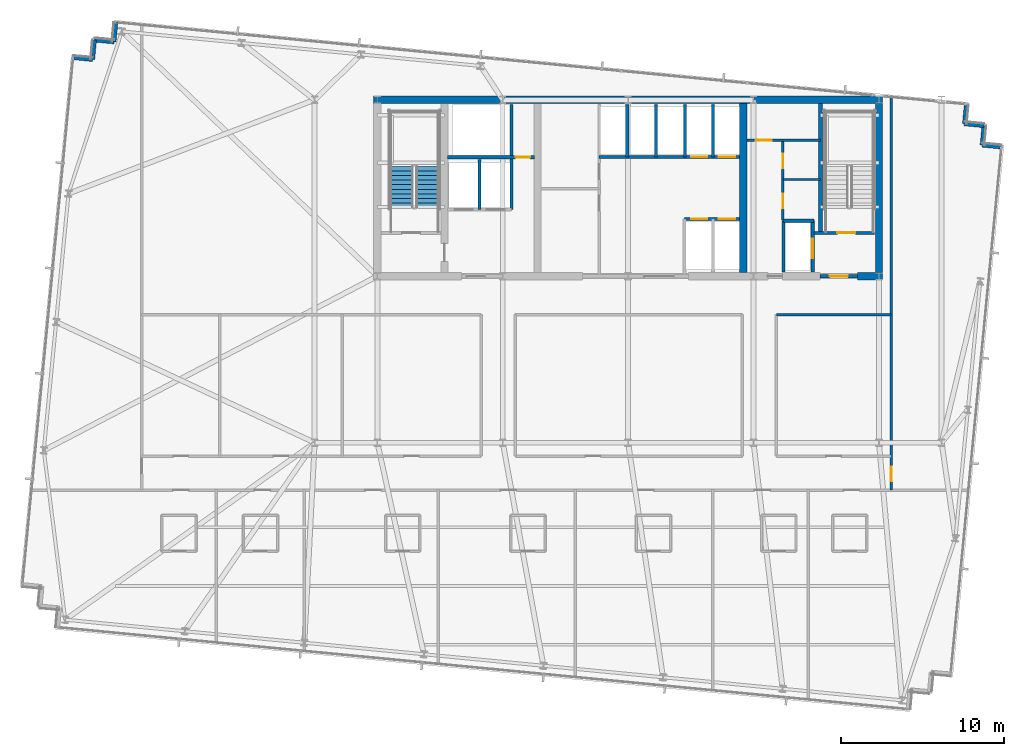
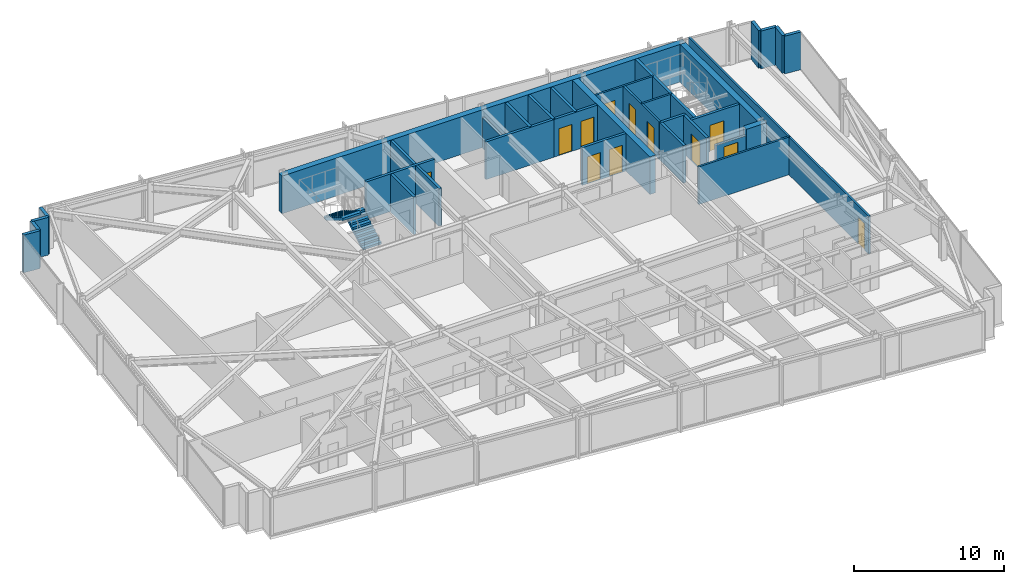
# One storey, part 31 of 37: 33 walls, 12 doors, 2 stair flights, 12 openings, 1 element without a shape of its own.
"""IFC4 building model written with IfcOpenShell, lengths in metres."""

from ifc_helpers import new_model, si_unit, direction, frame, frame_2d, origin, place, context, subcontext, project, spatial, polyline, rectangle, outline, extrude, material, layer, layer_set, type_object, element, fill, aggregate, save


model = new_model("IFC4")

# Units and contexts
model_context = context("Model", 3, precision=1e-05, world=origin(), true_north=direction((0.0, 1.0)))
body_context = subcontext(model_context, "Body", "Model", "MODEL_VIEW")
ifc_project = project(units=[si_unit("LENGTHUNIT", "METRE"), si_unit("AREAUNIT", "SQUARE_METRE"), si_unit("VOLUMEUNIT", "CUBIC_METRE"), si_unit("PLANEANGLEUNIT", "RADIAN"), si_unit("MASSUNIT", "GRAM", prefix="KILO")], contexts=[model_context])

# Site, building, storey
site_placement = place(None, origin())
site = spatial("IfcSite", under=ifc_project, at=site_placement, CompositionType="ELEMENT")
building_placement = place(site_placement, origin())
building = spatial("IfcBuilding", under=site, at=building_placement, Name="Yelkora Congress Tower", CompositionType="ELEMENT")
storey_placement = place(building_placement, frame((0.0, 0.0, 168.800048828125)))
storey = spatial("IfcBuildingStorey", under=building, at=storey_placement, Name="L46", CompositionType="ELEMENT", Elevation=168.800048828125)

# Walls
ifc_material_1 = material(Name="Concrete C50/60", Category="concrete")
ifc_layer_1 = layer(ifc_material_1, 0.219970703125)
ifc_layer_set_1 = layer_set([ifc_layer_1], Name="Concrete C50/60")
wall_type_1 = type_object("IfcWallType", Name="WALL-CORE-INT-220", PredefinedType="SHEAR", material=ifc_layer_set_1)
wall_1_placement = place(storey_placement, frame((50.179931640625, 38.050048828125, 0.0), z_axis=(0.0, 0.0, 1.0), x_axis=(0.0, 1.0, 0.0)))
element("IfcWall", 1, at=wall_1_placement, inside=storey, type_object=wall_type_1, Name="L46 ST02 West Stair Shear Wall", PredefinedType="SHEAR", context=body_context, shape_type="SweptSolid", body=[
    extrude(rectangle(XDim=7.925048828125, YDim=0.219970703125, at=frame_2d((3.96240234375, 0.0))), origin(), (0.0, 0.0, 1.0), 3.079833984375),
])
ifc_material_2 = material(Name="Concrete C60/75", Category="concrete")
ifc_layer_2 = layer(ifc_material_2, 0.449951171875)
ifc_layer_set_2 = layer_set([ifc_layer_2], Name="Concrete C60/75")
wall_type_2 = type_object("IfcWallType", Name="WALL-CORE-INT-450", PredefinedType="SHEAR", material=ifc_layer_set_2)
wall_2_placement = place(storey_placement, frame((22.81494140625, 46.199951171875, 0.0), z_axis=(0.0, 0.0, 1.0), x_axis=(1.0, 0.0, 0.0)))
element("IfcWall", 2, at=wall_2_placement, inside=storey, type_object=wall_type_2, Name="L46 Rear Core North Shear Wall", PredefinedType="SHEAR", context=body_context, shape_type="SweptSolid", body=[
    extrude(rectangle(XDim=31.170166015625, YDim=0.449951171875, at=frame_2d((15.5849609375, 0.0))), origin(), (0.0, 0.0, 1.0), 3.079833984375),
])
wall_3_placement = place(storey_placement, frame((52.449951171875, 35.39990234375, 0.0), z_axis=(0.0, 0.0, 1.0), x_axis=(1.0, 0.0, 0.0)))
element("IfcWall", 3, at=wall_3_placement, inside=storey, type_object=wall_type_2, Name="L46 Rear Core South-East Shear Wall B", PredefinedType="SHEAR", context=body_context, shape_type="SweptSolid", body=[
    extrude(rectangle(XDim=1.53515625, YDim=0.449951171875, at=frame_2d((0.767578125, 0.0))), origin(), (0.0, 0.0, 1.0), 3.079833984375),
])
for number, where, z_axis, x_axis, name in (
    (4, (45.449951171875, 35.625, 0.0), (0.0, 0.0, 1.0), (0.0, 1.0, 0.0), "L46 Rear Core Cross Shear Wall C3"),
    (5, (53.760009765625, 35.625, 0.0), (0.0, 0.0, 1.0), (0.0, 1.0, 0.0), "L46 Rear Core Cross Shear Wall E"),
):
    element("IfcWall", number, at=place(storey_placement, frame(where, z_axis=z_axis, x_axis=x_axis)), inside=storey, type_object=wall_type_2, Name=name, PredefinedType="SHEAR", context=body_context, shape_type="SweptSolid", body=[
        extrude(rectangle(XDim=10.35009765625, YDim=0.449951171875, at=frame_2d((5.175048828125, 0.0))), origin(), (0.0, 0.0, 1.0), 3.079833984375),
    ])
ifc_material_3 = material(Name="Concrete C40/50", Category="concrete")
ifc_layer_3 = layer(ifc_material_3, 0.239990234375)
ifc_layer_set_3 = layer_set([ifc_layer_3], Name="Concrete C40/50")
wall_type_3 = type_object("IfcWallType", Name="WALL-EXT-LIMESTONE-240", PredefinedType="SOLIDWALL", material=ifc_layer_set_3)
wall_4_placement = place(storey_placement, frame((4.41064453125, 48.778564453125, 0.0), z_axis=(0.0, 0.0, 1.0), x_axis=(0.995397091755, -0.095836473879, 0.0)))
element("IfcWall", 6, at=wall_4_placement, inside=storey, type_object=wall_type_3, Name="L46 Serrated Corner Limestone Pier 6", PredefinedType="SOLIDWALL", context=body_context, shape_type="SweptSolid", body=[
    extrude(rectangle(XDim=1.199951171875, YDim=0.239990234375, at=frame_2d((0.60009765625, 0.0))), origin(), (0.0, 0.0, 1.0), 3.079833984375),
])
wall_5_placement = place(storey_placement, frame((5.60498046875, 48.66357421875, 0.0), z_axis=(0.0, 0.0, 1.0), x_axis=(0.096018626938, 0.995379537303, 0.0)))
element("IfcWall", 7, at=wall_5_placement, inside=storey, type_object=wall_type_3, Name="L46 Serrated Corner Limestone Pier 7", PredefinedType="SOLIDWALL", context=body_context, shape_type="SweptSolid", body=[
    extrude(rectangle(XDim=1.2001953125, YDim=0.239990234375, at=frame_2d((0.60009765625, 0.0))), origin(), (0.0, 0.0, 1.0), 3.079833984375),
])
for number, where, z_axis, x_axis, name in (
    (8, (5.72021484375, 49.858154296875, 0.0), (0.0, 0.0, 1.0), (0.995397091755, -0.095836473879, 0.0), "L46 Serrated Corner Limestone Pier 8"),
    (9, (6.91455078125, 49.7431640625, 0.0), (0.0, 0.0, 1.0), (0.095836473879, 0.995397091755, 0.0), "L46 Serrated Corner Limestone Pier 9"),
):
    element("IfcWall", number, at=place(storey_placement, frame(where, z_axis=z_axis, x_axis=x_axis)), inside=storey, type_object=wall_type_3, Name=name, PredefinedType="SOLIDWALL", context=body_context, shape_type="SweptSolid", body=[
        extrude(rectangle(XDim=1.199951171875, YDim=0.239990234375, at=frame_2d((0.60009765625, 0.0))), origin(), (0.0, 0.0, 1.0), 3.079833984375),
    ])
for number, where, z_axis, x_axis, name in (
    (10, (59.108642578125, 45.923095703125, 0.0), (0.0, 0.0, 1.0), (-0.095817067274, -0.995398960025, 0.0), "L46 Serrated Corner Limestone Pier 11"),
    (11, (58.99365234375, 44.728515625, 0.0), (0.0, 0.0, 1.0), (0.995398960025, -0.095817067274, 0.0), "L46 Serrated Corner Limestone Pier 12"),
    (12, (60.188232421875, 44.613525390625, 0.0), (0.0, 0.0, 1.0), (-0.096018626938, -0.995379537303, 0.0), "L46 Serrated Corner Limestone Pier 13"),
    (13, (60.072998046875, 43.4189453125, 0.0), (0.0, 0.0, 1.0), (0.995398960025, -0.095817067274, 0.0), "L46 Serrated Corner Limestone Pier 14"),
):
    element("IfcWall", number, at=place(storey_placement, frame(where, z_axis=z_axis, x_axis=x_axis)), inside=storey, type_object=wall_type_3, Name=name, PredefinedType="SOLIDWALL", context=body_context, shape_type="SweptSolid", body=[
        extrude(rectangle(XDim=1.2001953125, YDim=0.239990234375, at=frame_2d((0.60009765625, 0.0))), origin(), (0.0, 0.0, 1.0), 3.079833984375),
    ])

# Wall, opening, door
ifc_material_4 = material(Name="Acoustic metal-stud gypsum partition", Category="gypsum")
ifc_layer_4 = layer(ifc_material_4, 0.14990234375)
ifc_layer_set_4 = layer_set([ifc_layer_4], Name="Acoustic metal-stud gypsum partition")
wall_type_4 = type_object("IfcWallType", Name="WALL-INT-150-NR", PredefinedType="PARTITIONING", material=ifc_layer_set_4)
wall_6_placement = place(storey_placement, frame((45.679931640625, 43.719970703125, 0.0), z_axis=(0.0, 0.0, 1.0), x_axis=(1.0, 0.0, 0.0)))
wall_6 = element("IfcWall", 14, at=wall_6_placement, inside=storey, type_object=wall_type_4, Name="L46 Partition Wall 24", PredefinedType="PARTITIONING", context=body_context, shape_type="SweptSolid", body=[
    extrude(rectangle(XDim=4.5, YDim=0.14990234375, at=frame_2d((2.25, 0.0))), origin(), (0.0, 0.0, 1.0), 3.079833984375),
])
opening_1_placement = place(wall_6_placement, frame((0.550048828125, 0.0, 0.0)))
opening_1 = element("IfcOpeningElement", 15, at=opening_1_placement, cuts=wall_6, Name="Opening DR-095N", PredefinedType="OPENING", context=body_context, shape_type="SweptSolid", body=[
    extrude(rectangle(XDim=0.949951171875, YDim=2.14990234375, at=frame_2d((0.47509765625, 1.074951171875))), frame((0.0, 0.0849609375, 0.0), z_axis=(0.0, -1.0, 0.0), x_axis=(1.0, 0.0, 0.0)), (0.0, 0.0, 1.0), 0.169921875),
])
ifc_material_5 = material(Name="Acoustic laminated timber office door", Category="wood")
door_type_1 = type_object("IfcDoorType", Name="DOOR-INT-950", OperationType="NOTDEFINED", PredefinedType="DOOR", material=ifc_material_5)
door_1_placement = place(opening_1_placement, origin())
door_1 = element("IfcDoor", 16, at=door_1_placement, inside=storey, type_object=door_type_1, Name="L46 Accessible WC Door", OperationType="SINGLE_SWING_RIGHT", OverallHeight=2.14990234375, OverallWidth=0.949951171875, PredefinedType="DOOR", context=body_context, shape_type="SweptSolid", body=[
    extrude(rectangle(XDim=0.949951171875, YDim=2.14990234375, at=frame_2d((0.47509765625, 1.074951171875))), frame((0.0, 0.02490234375, 0.0), z_axis=(0.0, -1.0, 0.0), x_axis=(1.0, 0.0, 0.0)), (0.0, 0.0, 1.0), 0.050048828125),
])
fill(opening_1, door_1)

# Wall
wall_7_placement = place(storey_placement, frame((47.8798828125, 41.320068359375, 0.0), z_axis=(0.0, 0.0, 1.0), x_axis=(1.0, 0.0, 0.0)))
element("IfcWall", 17, at=wall_7_placement, inside=storey, type_object=wall_type_4, Name="L46 Partition Wall 25", PredefinedType="PARTITIONING", context=body_context, shape_type="SweptSolid", body=[
    extrude(rectangle(XDim=2.300048828125, YDim=0.14990234375, at=frame_2d((1.14990234375, 0.0))), origin(), (0.0, 0.0, 1.0), 3.079833984375),
])

# Wall, openings, doors
wall_8_placement = place(storey_placement, frame((47.8798828125, 38.85009765625, 0.0), z_axis=(0.0, 0.0, 1.0), x_axis=(0.0, 1.0, 0.0)))
wall_8 = element("IfcWall", 18, at=wall_8_placement, inside=storey, type_object=wall_type_4, Name="L46 Partition Wall 26", PredefinedType="PARTITIONING", context=body_context, shape_type="SweptSolid", body=[
    extrude(rectangle(XDim=4.869873046875, YDim=0.14990234375, at=frame_2d((2.43505859375, 0.0))), origin(), (0.0, 0.0, 1.0), 3.079833984375),
])
opening_2_placement = place(wall_8_placement, frame((0.699951171875, 0.0, 0.0)))
opening_2 = element("IfcOpeningElement", 19, at=opening_2_placement, cuts=wall_8, Name="Opening DR-090N", PredefinedType="OPENING", context=body_context, shape_type="SweptSolid", body=[
    extrude(rectangle(XDim=0.89990234375, YDim=2.14990234375, at=frame_2d((0.449951171875, 1.074951171875))), frame((0.0, 0.0849609375, 0.0), z_axis=(0.0, -1.0, 0.0), x_axis=(1.0, 0.0, 0.0)), (0.0, 0.0, 1.0), 0.169921875),
])
opening_3_placement = place(wall_8_placement, frame((3.14990234375, 0.0, 0.0)))
opening_3 = element("IfcOpeningElement", 20, at=opening_3_placement, cuts=wall_8, Name="Opening DR-090N", PredefinedType="OPENING", context=body_context, shape_type="SweptSolid", body=[
    extrude(rectangle(XDim=0.89990234375, YDim=2.14990234375, at=frame_2d((0.449951171875, 1.074951171875))), frame((0.0, 0.0849609375, 0.0), z_axis=(0.0, -1.0, 0.0), x_axis=(1.0, 0.0, 0.0)), (0.0, 0.0, 1.0), 0.169921875),
])
ifc_material_6 = material(Name="Moisture-resistant laminate door leaf", Category="wood")
door_type_2 = type_object("IfcDoorType", Name="DOOR-INT-900", OperationType="NOTDEFINED", PredefinedType="DOOR", material=ifc_material_6)
door_2_placement = place(opening_2_placement, origin())
door_2 = element("IfcDoor", 21, at=door_2_placement, inside=storey, type_object=door_type_2, Name="L46 Male WC Door", OperationType="SINGLE_SWING_LEFT", OverallHeight=2.14990234375, OverallWidth=0.89990234375, PredefinedType="DOOR", context=body_context, shape_type="SweptSolid", body=[
    extrude(rectangle(XDim=0.89990234375, YDim=2.14990234375, at=frame_2d((0.449951171875, 1.074951171875))), frame((0.0, 0.02490234375, 0.0), z_axis=(0.0, -1.0, 0.0), x_axis=(1.0, 0.0, 0.0)), (0.0, 0.0, 1.0), 0.050048828125),
])
fill(opening_2, door_2)
door_3_placement = place(opening_3_placement, origin())
door_3 = element("IfcDoor", 22, at=door_3_placement, inside=storey, type_object=door_type_2, Name="L46 Female WC Door", OperationType="SINGLE_SWING_RIGHT", OverallHeight=2.14990234375, OverallWidth=0.89990234375, PredefinedType="DOOR", context=body_context, shape_type="SweptSolid", body=[
    extrude(rectangle(XDim=0.89990234375, YDim=2.14990234375, at=frame_2d((0.449951171875, 1.074951171875))), frame((0.0, 0.02490234375, 0.0), z_axis=(0.0, -1.0, 0.0), x_axis=(1.0, 0.0, 0.0)), (0.0, 0.0, 1.0), 0.050048828125),
])
fill(opening_3, door_3)

# Wall, opening, door
wall_9_placement = place(storey_placement, frame((54.506103515625, 22.300048828125, 0.0), z_axis=(0.0, 0.0, 1.0), x_axis=(0.0, 1.0, 0.0)))
wall_9 = element("IfcWall", 23, at=wall_9_placement, inside=storey, type_object=wall_type_4, Name="L46 Partition Wall 63", PredefinedType="PARTITIONING", context=body_context, shape_type="SweptSolid", body=[
    extrude(rectangle(XDim=24.12646484375, YDim=0.14990234375, at=frame_2d((12.063232421875, 0.0))), origin(), (0.0, 0.0, 1.0), 3.079833984375),
])
opening_4_placement = place(wall_9_placement, frame((0.528076171875, 0.0, 0.0)))
opening_4 = element("IfcOpeningElement", 24, at=opening_4_placement, cuts=wall_9, Name="Opening DR-090N", PredefinedType="OPENING", context=body_context, shape_type="SweptSolid", body=[
    extrude(rectangle(XDim=0.89990234375, YDim=2.14990234375, at=frame_2d((0.449951171875, 1.074951171875))), frame((0.0, 0.0849609375, 0.0), z_axis=(0.0, -1.0, 0.0), x_axis=(1.0, 0.0, 0.0)), (0.0, 0.0, 1.0), 0.169921875),
])
door_4_placement = place(opening_4_placement, origin())
door_4 = element("IfcDoor", 25, at=door_4_placement, inside=storey, type_object=door_type_2, Name="L46 E Wing Door", OperationType="SINGLE_SWING_RIGHT", OverallHeight=2.14990234375, OverallWidth=0.89990234375, PredefinedType="DOOR", context=body_context, shape_type="SweptSolid", body=[
    extrude(rectangle(XDim=0.89990234375, YDim=2.14990234375, at=frame_2d((0.449951171875, 1.074951171875))), frame((0.0, 0.02490234375, 0.0), z_axis=(0.0, -1.0, 0.0), x_axis=(1.0, 0.0, 0.0)), (0.0, 0.0, 1.0), 0.050048828125),
])
fill(opening_4, door_4)

# Walls
wall_10_placement = place(storey_placement, frame((47.47998046875, 33.050048828125, 0.0), z_axis=(0.0, 0.0, 1.0), x_axis=(1.0, 0.0, 0.0)))
element("IfcWall", 26, at=wall_10_placement, inside=storey, type_object=wall_type_4, Name="L46 Partition Wall 70", PredefinedType="PARTITIONING", context=body_context, shape_type="SweptSolid", body=[
    extrude(rectangle(XDim=7.026123046875, YDim=0.14990234375, at=frame_2d((3.51318359375, 0.0))), origin(), (0.0, 0.0, 1.0), 3.079833984375),
])
ifc_material_7 = material(Name="Autoclaved aerated concrete blockwork", Category="masonry")
ifc_layer_5 = layer(ifc_material_7, 0.199951171875)
ifc_layer_set_5 = layer_set([ifc_layer_5], Name="Autoclaved aerated concrete blockwork")
wall_type_5 = type_object("IfcWallType", Name="WALL-INT-200-R120", PredefinedType="PARTITIONING", material=ifc_layer_set_5)
wall_11_placement = place(storey_placement, frame((29.300048828125, 39.47998046875, 0.0), z_axis=(0.0, 0.0, 1.0), x_axis=(0.0, 1.0, 0.0)))
element("IfcWall", 27, at=wall_11_placement, inside=storey, type_object=wall_type_5, Name="L46 Partition Wall 4", PredefinedType="PARTITIONING", context=body_context, shape_type="SweptSolid", body=[
    extrude(rectangle(XDim=3.070068359375, YDim=0.199951171875, at=frame_2d((1.53515625, 0.0))), origin(), (0.0, 0.0, 1.0), 3.079833984375),
])
wall_12_placement = place(storey_placement, frame((31.260009765625, 39.47998046875, 0.0), z_axis=(0.0, 0.0, 1.0), x_axis=(0.0, 1.0, 0.0)))
element("IfcWall", 28, at=wall_12_placement, inside=storey, type_object=wall_type_5, Name="L46 Partition Wall 5", PredefinedType="PARTITIONING", context=body_context, shape_type="SweptSolid", body=[
    extrude(rectangle(XDim=6.43994140625, YDim=0.199951171875, at=frame_2d((3.219970703125, 0.0))), origin(), (0.0, 0.0, 1.0), 3.079833984375),
])

# Wall, opening, door
wall_13_placement = place(storey_placement, frame((27.320068359375, 42.679931640625, 0.0), z_axis=(0.0, 0.0, 1.0), x_axis=(1.0, 0.0, 0.0)))
wall_13 = element("IfcWall", 29, at=wall_13_placement, inside=storey, type_object=wall_type_5, Name="L46 Smoke Riser South Wall", PredefinedType="PARTITIONING", context=body_context, shape_type="SweptSolid", body=[
    extrude(rectangle(XDim=5.329833984375, YDim=0.199951171875, at=frame_2d((2.6650390625, 0.0))), origin(), (0.0, 0.0, 1.0), 3.079833984375),
])
opening_5_placement = place(wall_13_placement, frame((4.179931640625, 0.0, 0.0)))
opening_5 = element("IfcOpeningElement", 30, at=opening_5_placement, cuts=wall_13, Name="Opening DR-090F6", PredefinedType="OPENING", context=body_context, shape_type="SweptSolid", body=[
    extrude(rectangle(XDim=0.89990234375, YDim=2.14990234375, at=frame_2d((0.449951171875, 1.074951171875))), frame((0.0, 0.10986328125, 0.0), z_axis=(0.0, -1.0, 0.0), x_axis=(1.0, 0.0, 0.0)), (0.0, 0.0, 1.0), 0.219970703125),
])
ifc_material_8 = material(Name="Painted steel riser fire door leaf", Category="steel")
door_type_3 = type_object("IfcDoorType", Name="DOOR-FD60-900", OperationType="NOTDEFINED", PredefinedType="DOOR", material=ifc_material_8)
door_5_placement = place(opening_5_placement, origin())
door_5 = element("IfcDoor", 31, at=door_5_placement, inside=storey, type_object=door_type_3, Name="L46 Riser Access Door", OperationType="SINGLE_SWING_LEFT", OverallHeight=2.14990234375, OverallWidth=0.89990234375, PredefinedType="DOOR", context=body_context, shape_type="SweptSolid", body=[
    extrude(rectangle(XDim=0.89990234375, YDim=2.14990234375, at=frame_2d((0.449951171875, 1.074951171875))), frame((0.0, 0.02490234375, 0.0), z_axis=(0.0, -1.0, 0.0), x_axis=(1.0, 0.0, 0.0)), (0.0, 0.0, 1.0), 0.050048828125),
])
fill(opening_5, door_5)

# Walls
wall_14_placement = place(storey_placement, frame((36.60009765625, 42.699951171875, 0.0), z_axis=(0.0, 0.0, 1.0), x_axis=(1.0, 0.0, 0.0)))
element("IfcWall", 32, at=wall_14_placement, inside=storey, type_object=wall_type_5, Name="L46 Partition Wall 8", PredefinedType="PARTITIONING", context=body_context, shape_type="SweptSolid", body=[
    extrude(rectangle(XDim=5.25, YDim=0.199951171875, at=frame_2d((2.625, 0.0))), origin(), (0.0, 0.0, 1.0), 3.079833984375),
])
wall_15_placement = place(storey_placement, frame((38.35009765625, 42.699951171875, 0.0), z_axis=(0.0, 0.0, 1.0), x_axis=(0.0, 1.0, 0.0)))
element("IfcWall", 33, at=wall_15_placement, inside=storey, type_object=wall_type_5, Name="L46 Partition Wall 9", PredefinedType="PARTITIONING", context=body_context, shape_type="SweptSolid", body=[
    extrude(rectangle(XDim=3.219970703125, YDim=0.199951171875, at=frame_2d((1.60986328125, 0.0))), origin(), (0.0, 0.0, 1.0), 2.474853515625),
])
wall_16_placement = place(storey_placement, frame((40.10009765625, 42.699951171875, 0.0), z_axis=(0.0, 0.0, 1.0), x_axis=(0.0, 1.0, 0.0)))
element("IfcWall", 34, at=wall_16_placement, inside=storey, type_object=wall_type_5, Name="L46 Partition Wall 10", PredefinedType="PARTITIONING", context=body_context, shape_type="SweptSolid", body=[
    extrude(rectangle(XDim=3.219970703125, YDim=0.199951171875, at=frame_2d((1.60986328125, 0.0))), origin(), (0.0, 0.0, 1.0), 3.079833984375),
])

# Wall, openings, doors
wall_17_placement = place(storey_placement, frame((41.85009765625, 38.89990234375, 0.0), z_axis=(0.0, 0.0, 1.0), x_axis=(1.0, 0.0, 0.0)))
wall_17 = element("IfcWall", 35, at=wall_17_placement, inside=storey, type_object=wall_type_5, Name="L46 Partition Wall 13", PredefinedType="PARTITIONING", context=body_context, shape_type="SweptSolid", body=[
    extrude(rectangle(XDim=3.369873046875, YDim=0.199951171875, at=frame_2d((1.68505859375, 0.0))), origin(), (0.0, 0.0, 1.0), 3.079833984375),
])
opening_6_placement = place(wall_17_placement, frame((0.39990234375, 0.0, 0.0)))
opening_6 = element("IfcOpeningElement", 36, at=opening_6_placement, cuts=wall_17, Name="Opening LD-PS10", PredefinedType="OPENING", context=body_context, shape_type="SweptSolid", body=[
    extrude(rectangle(XDim=1.0, YDim=2.199951171875, at=frame_2d((0.5, 1.10009765625))), frame((0.0, 0.10986328125, 0.0), z_axis=(0.0, -1.0, 0.0), x_axis=(1.0, 0.0, 0.0)), (0.0, 0.0, 1.0), 0.219970703125),
])
opening_7_placement = place(wall_17_placement, frame((2.10009765625, 0.0, 0.0)))
opening_7 = element("IfcOpeningElement", 37, at=opening_7_placement, cuts=wall_17, Name="Opening LD-PS10", PredefinedType="OPENING", context=body_context, shape_type="SweptSolid", body=[
    extrude(rectangle(XDim=1.0, YDim=2.199951171875, at=frame_2d((0.5, 1.10009765625))), frame((0.0, 0.10986328125, 0.0), z_axis=(0.0, -1.0, 0.0), x_axis=(1.0, 0.0, 0.0)), (0.0, 0.0, 1.0), 0.219970703125),
])
ifc_material_9 = material(Name="Champagne stainless steel landing door", Category="steel")
door_type_4 = type_object("IfcDoorType", Name="DOOR-LIFT-PAS-1000", OperationType="DOUBLE_DOOR_SLIDING", PredefinedType="DOOR", material=ifc_material_9)
door_6_placement = place(opening_6_placement, origin())
door_6 = element("IfcDoor", 38, at=door_6_placement, inside=storey, type_object=door_type_4, Name="Lift Landing Door LF-P5 L46", OperationType="DOUBLE_DOOR_SLIDING", OverallHeight=2.199951171875, OverallWidth=1.0, PredefinedType="DOOR", context=body_context, shape_type="SweptSolid", body=[
    extrude(rectangle(XDim=1.0, YDim=2.199951171875, at=frame_2d((0.5, 1.10009765625))), frame((0.0, 0.02490234375, 0.0), z_axis=(0.0, -1.0, 0.0), x_axis=(1.0, 0.0, 0.0)), (0.0, 0.0, 1.0), 0.050048828125),
])
fill(opening_6, door_6)
door_7_placement = place(opening_7_placement, origin())
door_7 = element("IfcDoor", 39, at=door_7_placement, inside=storey, type_object=door_type_4, Name="Lift Landing Door LF-P6 L46", OperationType="DOUBLE_DOOR_SLIDING", OverallHeight=2.199951171875, OverallWidth=1.0, PredefinedType="DOOR", context=body_context, shape_type="SweptSolid", body=[
    extrude(rectangle(XDim=1.0, YDim=2.199951171875, at=frame_2d((0.5, 1.10009765625))), frame((0.0, 0.02490234375, 0.0), z_axis=(0.0, -1.0, 0.0), x_axis=(1.0, 0.0, 0.0)), (0.0, 0.0, 1.0), 0.050048828125),
])
fill(opening_7, door_7)

wall_18_placement = place(storey_placement, frame((41.85009765625, 42.699951171875, 0.0), z_axis=(0.0, 0.0, 1.0), x_axis=(1.0, 0.0, 0.0)))
wall_18 = element("IfcWall", 40, at=wall_18_placement, inside=storey, type_object=wall_type_5, Name="L46 Partition Wall 14", PredefinedType="PARTITIONING", context=body_context, shape_type="SweptSolid", body=[
    extrude(rectangle(XDim=3.369873046875, YDim=0.199951171875, at=frame_2d((1.68505859375, 0.0))), origin(), (0.0, 0.0, 1.0), 3.079833984375),
])
opening_8_placement = place(wall_18_placement, frame((0.39990234375, 0.0, 0.0)))
opening_8 = element("IfcOpeningElement", 41, at=opening_8_placement, cuts=wall_18, Name="Opening LD-PS10", PredefinedType="OPENING", context=body_context, shape_type="SweptSolid", body=[
    extrude(rectangle(XDim=1.0, YDim=2.199951171875, at=frame_2d((0.5, 1.10009765625))), frame((0.0, 0.10986328125, 0.0), z_axis=(0.0, -1.0, 0.0), x_axis=(1.0, 0.0, 0.0)), (0.0, 0.0, 1.0), 0.219970703125),
])
opening_9_placement = place(wall_18_placement, frame((2.10009765625, 0.0, 0.0)))
opening_9 = element("IfcOpeningElement", 42, at=opening_9_placement, cuts=wall_18, Name="Opening LD-PS10", PredefinedType="OPENING", context=body_context, shape_type="SweptSolid", body=[
    extrude(rectangle(XDim=1.0, YDim=2.199951171875, at=frame_2d((0.5, 1.10009765625))), frame((0.0, 0.10986328125, 0.0), z_axis=(0.0, -1.0, 0.0), x_axis=(1.0, 0.0, 0.0)), (0.0, 0.0, 1.0), 0.219970703125),
])
door_8_placement = place(opening_8_placement, origin())
door_8 = element("IfcDoor", 43, at=door_8_placement, inside=storey, type_object=door_type_4, Name="Lift Landing Door LF-P7 L46", OperationType="DOUBLE_DOOR_SLIDING", OverallHeight=2.199951171875, OverallWidth=1.0, PredefinedType="DOOR", context=body_context, shape_type="SweptSolid", body=[
    extrude(rectangle(XDim=1.0, YDim=2.199951171875, at=frame_2d((0.5, 1.10009765625))), frame((0.0, 0.02490234375, 0.0), z_axis=(0.0, -1.0, 0.0), x_axis=(1.0, 0.0, 0.0)), (0.0, 0.0, 1.0), 0.050048828125),
])
fill(opening_8, door_8)
door_9_placement = place(opening_9_placement, origin())
door_9 = element("IfcDoor", 44, at=door_9_placement, inside=storey, type_object=door_type_4, Name="Lift Landing Door LF-P8 L46", OperationType="DOUBLE_DOOR_SLIDING", OverallHeight=2.199951171875, OverallWidth=1.0, PredefinedType="DOOR", context=body_context, shape_type="SweptSolid", body=[
    extrude(rectangle(XDim=1.0, YDim=2.199951171875, at=frame_2d((0.5, 1.10009765625))), frame((0.0, 0.02490234375, 0.0), z_axis=(0.0, -1.0, 0.0), x_axis=(1.0, 0.0, 0.0)), (0.0, 0.0, 1.0), 0.050048828125),
])
fill(opening_9, door_9)

# Walls
for number, where, z_axis, x_axis, name in (
    (45, (43.60009765625, 42.699951171875, 0.0), (0.0, 0.0, 1.0), (0.0, 1.0, 0.0), "L46 Partition Wall 16"),
    (46, (41.8798828125, 42.699951171875, 0.0), (0.0, 0.0, 1.0), (0.0, 1.0, 0.0), "L46 Partition Wall 18"),
):
    element("IfcWall", number, at=place(storey_placement, frame(where, z_axis=z_axis, x_axis=x_axis)), inside=storey, type_object=wall_type_5, Name=name, PredefinedType="PARTITIONING", context=body_context, shape_type="SweptSolid", body=[
        extrude(rectangle(XDim=3.219970703125, YDim=0.199951171875, at=frame_2d((1.60986328125, 0.0))), origin(), (0.0, 0.0, 1.0), 3.079833984375),
    ])

# Wall, opening, door
wall_19_placement = place(storey_placement, frame((49.780029296875, 38.050048828125, 0.0), z_axis=(0.0, 0.0, 1.0), x_axis=(1.0, 0.0, 0.0)))
wall_19 = element("IfcWall", 47, at=wall_19_placement, inside=storey, type_object=wall_type_5, Name="L46 Stair ST-02 Enclosure Wall", PredefinedType="PARTITIONING", context=body_context, shape_type="SweptSolid", body=[
    extrude(rectangle(XDim=3.719970703125, YDim=0.199951171875, at=frame_2d((1.85986328125, 0.0))), origin(), (0.0, 0.0, 1.0), 3.079833984375),
])
opening_10_placement = place(wall_19_placement, frame((1.436279296875, 0.0, 0.0)))
opening_10 = element("IfcOpeningElement", 48, at=opening_10_placement, cuts=wall_19, Name="Opening DR-110F9", PredefinedType="OPENING", context=body_context, shape_type="SweptSolid", body=[
    extrude(rectangle(XDim=1.10009765625, YDim=2.14990234375, at=frame_2d((0.550048828125, 1.074951171875))), frame((0.0, 0.10986328125, 0.0), z_axis=(0.0, -1.0, 0.0), x_axis=(1.0, 0.0, 0.0)), (0.0, 0.0, 1.0), 0.219970703125),
])
ifc_material_10 = material(Name="Galvanised steel fire door leaf", Category="steel")
door_type_5 = type_object("IfcDoorType", Name="DOOR-FD90-1100", OperationType="NOTDEFINED", PredefinedType="DOOR", material=ifc_material_10)
door_10_placement = place(opening_10_placement, origin())
door_10 = element("IfcDoor", 49, at=door_10_placement, inside=storey, type_object=door_type_5, Name="L46 Stair ST-02 Entry Door", OperationType="SINGLE_SWING_LEFT", OverallHeight=2.14990234375, OverallWidth=1.10009765625, PredefinedType="DOOR", context=body_context, shape_type="SweptSolid", body=[
    extrude(rectangle(XDim=1.10009765625, YDim=2.14990234375, at=frame_2d((0.550048828125, 1.074951171875))), frame((0.0, 0.02490234375, 0.0), z_axis=(0.0, -1.0, 0.0), x_axis=(1.0, 0.0, 0.0)), (0.0, 0.0, 1.0), 0.050048828125),
])
fill(opening_10, door_10)

wall_20_placement = place(storey_placement, frame((50.14990234375, 35.39990234375, 0.0), z_axis=(0.0, 0.0, 1.0), x_axis=(1.0, 0.0, 0.0)))
wall_20 = element("IfcWall", 50, at=wall_20_placement, inside=storey, type_object=wall_type_5, Name="L46 Partition Wall 20", PredefinedType="PARTITIONING", context=body_context, shape_type="SweptSolid", body=[
    extrude(rectangle(XDim=2.300048828125, YDim=0.199951171875, at=frame_2d((1.14990234375, 0.0))), origin(), (0.0, 0.0, 1.0), 2.474853515625),
])
opening_11_placement = place(wall_20_placement, frame((0.60009765625, 0.0, 0.0)))
opening_11 = element("IfcOpeningElement", 51, at=opening_11_placement, cuts=wall_20, Name="Opening DR-110F9", PredefinedType="OPENING", context=body_context, shape_type="SweptSolid", body=[
    extrude(rectangle(XDim=1.10009765625, YDim=2.14990234375, at=frame_2d((0.550048828125, 1.074951171875))), frame((0.0, 0.10986328125, 0.0), z_axis=(0.0, -1.0, 0.0), x_axis=(1.0, 0.0, 0.0)), (0.0, 0.0, 1.0), 0.219970703125),
])
door_11_placement = place(opening_11_placement, origin())
door_11 = element("IfcDoor", 52, at=door_11_placement, inside=storey, type_object=door_type_5, Name="L46 East Stair Lobby Door", OperationType="SINGLE_SWING_RIGHT", OverallHeight=2.14990234375, OverallWidth=1.10009765625, PredefinedType="DOOR", context=body_context, shape_type="SweptSolid", body=[
    extrude(rectangle(XDim=1.10009765625, YDim=2.14990234375, at=frame_2d((0.550048828125, 1.074951171875))), frame((0.0, 0.02490234375, 0.0), z_axis=(0.0, -1.0, 0.0), x_axis=(1.0, 0.0, 0.0)), (0.0, 0.0, 1.0), 0.050048828125),
])
fill(opening_11, door_11)

wall_21_placement = place(storey_placement, frame((49.699951171875, 35.64990234375, 0.0), z_axis=(0.0, 0.0, 1.0), x_axis=(0.0, 1.0, 0.0)))
wall_21 = element("IfcWall", 53, at=wall_21_placement, inside=storey, type_object=wall_type_5, Name="L46 Partition Wall 21", PredefinedType="PARTITIONING", context=body_context, shape_type="SweptSolid", body=[
    extrude(rectangle(XDim=3.150146484375, YDim=0.199951171875, at=frame_2d((1.5751953125, 0.0))), origin(), (0.0, 0.0, 1.0), 3.079833984375),
])
opening_12_placement = place(wall_21_placement, frame((0.85009765625, 0.0, 0.0)))
opening_12 = element("IfcOpeningElement", 54, at=opening_12_placement, cuts=wall_21, Name="Opening LD-SV12", PredefinedType="OPENING", context=body_context, shape_type="SweptSolid", body=[
    extrude(rectangle(XDim=1.199951171875, YDim=2.199951171875, at=frame_2d((0.60009765625, 1.10009765625))), frame((0.0, 0.10986328125, 0.0), z_axis=(0.0, -1.0, 0.0), x_axis=(1.0, 0.0, 0.0)), (0.0, 0.0, 1.0), 0.219970703125),
])
ifc_material_11 = material(Name="Heavy-duty stainless steel landing door", Category="steel")
door_type_6 = type_object("IfcDoorType", Name="DOOR-LIFT-SRV-1200", OperationType="DOUBLE_DOOR_SLIDING", PredefinedType="DOOR", material=ifc_material_11)
door_12_placement = place(opening_12_placement, origin())
door_12 = element("IfcDoor", 55, at=door_12_placement, inside=storey, type_object=door_type_6, Name="Service Lift Landing Door LF-SV1 L46", OperationType="DOUBLE_DOOR_SLIDING", OverallHeight=2.199951171875, OverallWidth=1.199951171875, PredefinedType="DOOR", context=body_context, shape_type="SweptSolid", body=[
    extrude(rectangle(XDim=1.199951171875, YDim=2.199951171875, at=frame_2d((0.60009765625, 1.10009765625))), frame((0.0, 0.02490234375, 0.0), z_axis=(0.0, -1.0, 0.0), x_axis=(1.0, 0.0, 0.0)), (0.0, 0.0, 1.0), 0.050048828125),
])
fill(opening_12, door_12)

# Walls
wall_22_placement = place(storey_placement, frame((47.919921875, 35.64990234375, 0.0), z_axis=(0.0, 0.0, 1.0), x_axis=(0.0, 1.0, 0.0)))
element("IfcWall", 56, at=wall_22_placement, inside=storey, type_object=wall_type_5, Name="L46 Partition Wall 22", PredefinedType="PARTITIONING", context=body_context, shape_type="SweptSolid", body=[
    extrude(rectangle(XDim=3.150146484375, YDim=0.199951171875, at=frame_2d((1.5751953125, 0.0))), origin(), (0.0, 0.0, 1.0), 3.079833984375),
])
wall_23_placement = place(storey_placement, frame((47.919921875, 38.800048828125, 0.0), z_axis=(0.0, 0.0, 1.0), x_axis=(1.0, 0.0, 0.0)))
element("IfcWall", 57, at=wall_23_placement, inside=storey, type_object=wall_type_5, Name="L46 Partition Wall 23", PredefinedType="PARTITIONING", context=body_context, shape_type="SweptSolid", body=[
    extrude(rectangle(XDim=1.860107421875, YDim=0.199951171875, at=frame_2d((0.93017578125, 0.0))), origin(), (0.0, 0.0, 1.0), 3.079833984375),
])

# Stair, stair flights
stair_type = type_object("IfcStairType", Name="STAIR-HT-1420-R20-165", PredefinedType="HALF_TURN_STAIR", material=ifc_material_3)
stair_placement = place(storey_placement, origin())
stair = element("IfcStair", 58, at=stair_placement, inside=storey, type_object=stair_type, Name="West Core Protected Exit Stair ST-01 (L46)", PredefinedType="HALF_TURN_STAIR")
stair_flight_type = type_object("IfcStairFlightType", Name="FLIGHT-1420-N10-R165-G280", PredefinedType="STRAIGHT", material=ifc_material_3)
stair_flight_1_placement = place(storey_placement, frame((26.110107421875, 39.60009765625, 0.0), z_axis=(0.0, 0.0, 1.0), x_axis=(0.0, 1.0, 0.0)))
stair_flight_1 = element("IfcStairFlight", 59, at=stair_flight_1_placement, type_object=stair_flight_type, Name="ST-01 L46 Flight 1", NumberOfRisers=10, NumberOfTreads=9, PredefinedType="STRAIGHT", RiserHeight=0.165, TreadLength=0.28, context=body_context, shape_type="SweptSolid", body=[
    extrude(outline(polyline([(0.0, 0.0), (0.0, 0.1650390625), (0.280029296875, 0.1650390625), (0.280029296875, 0.330078125), (0.56005859375, 0.330078125), (0.56005859375, 0.4951171875), (0.840087890625, 0.4951171875), (0.840087890625, 0.659912109375), (1.1201171875, 0.659912109375), (1.1201171875, 0.824951171875), (1.39990234375, 0.824951171875), (1.39990234375, 0.989990234375), (1.679931640625, 0.989990234375), (1.679931640625, 1.155029296875), (1.9599609375, 1.155029296875), (1.9599609375, 1.320068359375), (2.239990234375, 1.320068359375), (2.239990234375, 1.485107421875), (2.52001953125, 1.485107421875), (2.52001953125, 1.64990234375), (2.52001953125, 1.29931640625), (0.31494140625, 0.0), (0.0, 0.0)])), frame((0.0, 0.7099609375, 0.0), z_axis=(0.0, -1.0, 0.0), x_axis=(1.0, 0.0, 0.0)), (0.0, 0.0, 1.0), 1.419921875),
])
stair_flight_2_placement = place(storey_placement, frame((24.530029296875, 42.1201171875, 1.64990234375), z_axis=(0.0, 0.0, 1.0), x_axis=(0.0, -1.0, 0.0)))
stair_flight_2 = element("IfcStairFlight", 60, at=stair_flight_2_placement, type_object=stair_flight_type, Name="ST-01 L46 Flight 2", NumberOfRisers=10, NumberOfTreads=9, PredefinedType="STRAIGHT", RiserHeight=0.165, TreadLength=0.28, context=body_context, shape_type="SweptSolid", body=[
    extrude(outline(polyline([(0.0, 0.0), (0.0, 0.1650390625), (0.280029296875, 0.1650390625), (0.280029296875, 0.330078125), (0.56005859375, 0.330078125), (0.56005859375, 0.4951171875), (0.840087890625, 0.4951171875), (0.840087890625, 0.659912109375), (1.1201171875, 0.659912109375), (1.1201171875, 0.824951171875), (1.39990234375, 0.824951171875), (1.39990234375, 0.989990234375), (1.679931640625, 0.989990234375), (1.679931640625, 1.155029296875), (1.9599609375, 1.155029296875), (1.9599609375, 1.320068359375), (2.239990234375, 1.320068359375), (2.239990234375, 1.485107421875), (2.52001953125, 1.485107421875), (2.52001953125, 1.64990234375), (2.52001953125, 1.29931640625), (0.31494140625, 0.0), (0.0, 0.0)])), frame((0.0, 0.7099609375, 0.0), z_axis=(0.0, -1.0, 0.0), x_axis=(1.0, 0.0, 0.0)), (0.0, 0.0, 1.0), 1.419921875),
])
aggregate(stair, [stair_flight_1, stair_flight_2])

save(model, "model.ifc")
